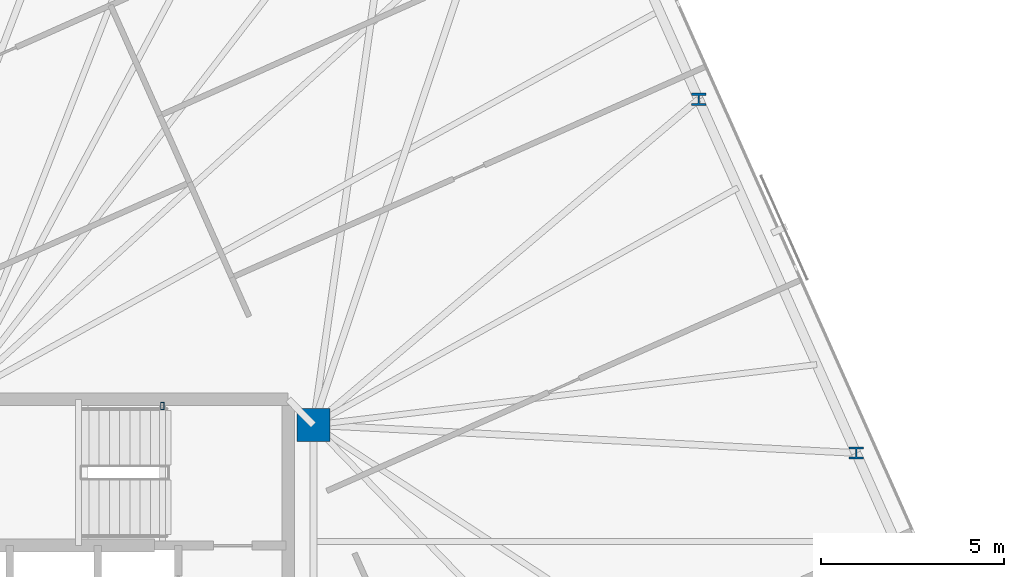
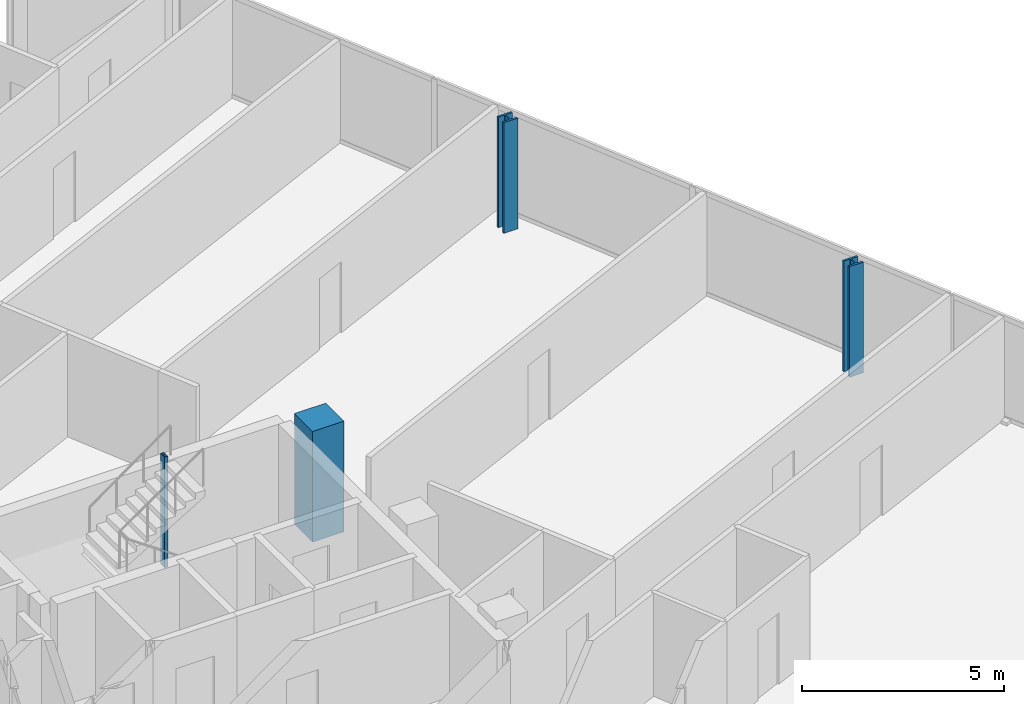
# One storey, part 3 of 19: 4 columns.
"""IFC4 building model written with IfcOpenShell, lengths in metres."""

from ifc_helpers import new_model, si_unit, direction, frame, origin, origin_2d, place, context, subcontext, project, spatial, rectangle, hollow_rectangle, i_section, extrude, material, material_profile, profile_set, type_object, element, save


model = new_model("IFC4")

# Units and contexts
model_context = context("Model", 3, precision=1e-05, world=origin(), true_north=direction((0.0, 1.0)))
body_context = subcontext(model_context, "Body", "Model", "MODEL_VIEW")
ifc_project = project(units=[si_unit("LENGTHUNIT", "METRE"), si_unit("AREAUNIT", "SQUARE_METRE"), si_unit("VOLUMEUNIT", "CUBIC_METRE"), si_unit("PLANEANGLEUNIT", "RADIAN"), si_unit("MASSUNIT", "GRAM", prefix="KILO")], contexts=[model_context])

# Site, building, storey
site_placement = place(None, origin())
site = spatial("IfcSite", under=ifc_project, at=site_placement, CompositionType="ELEMENT")
building_placement = place(site_placement, origin())
building = spatial("IfcBuilding", under=site, at=building_placement, Name="Menara Jurai Vektor", CompositionType="ELEMENT")
storey_placement = place(building_placement, frame((0.0, 0.0, 265.550048828125)))
storey = spatial("IfcBuildingStorey", under=building, at=storey_placement, Name="L71", CompositionType="ELEMENT", Elevation=265.550048828125)

# Columns
ifc_material_1 = material(Name="Concrete C50/60", Category="concrete")
ifc_material_profile_1 = material_profile(ifc_material_1, rectangle(XDim=0.89990234375, YDim=0.89990234375, at=origin_2d()), Name="RC 900x900")
ifc_profile_set_1 = profile_set([ifc_material_profile_1], Name="Concrete C50/60")
column_type_1 = type_object("IfcColumnType", Name="STR-COL-RC900", PredefinedType="COLUMN", material=ifc_profile_set_1)
column_1_placement = place(storey_placement, frame((15.25, 4.89990234375, 0.0), z_axis=(0.0, 0.0, 1.0), x_axis=(1.0, 0.0, 0.0)))
element("IfcColumn", 1, at=column_1_placement, inside=storey, type_object=column_type_1, Name="Core Spine Column CE-NE L71", PredefinedType="COLUMN", context=body_context, shape_type="SweptSolid", body=[
    extrude(rectangle(XDim=0.89990234375, YDim=0.89990234375, at=origin_2d()), origin(), (0.0, 0.0, 1.0), 3.349853515625),
])
ifc_material_2 = material(Name="Steel S355", Category="steel")
ifc_material_profile_2 = material_profile(ifc_material_2, hollow_rectangle(XDim=0.10009765625, YDim=0.199951171875, WallThickness=0.008056640625, at=origin_2d()), Name="RHS 200x100x8")
ifc_profile_set_2 = profile_set([ifc_material_profile_2], Name="Steel S355")
column_type_2 = type_object("IfcColumnType", Name="STR-COL-STAIR", PredefinedType="COLUMN", material=ifc_profile_set_2)
column_2_placement = place(storey_placement, frame((11.1201171875, 5.419921875, 0.0), z_axis=(0.0, 0.0, 1.0), x_axis=(1.0, 0.0, 0.0)))
element("IfcColumn", 2, at=column_2_placement, inside=storey, type_object=column_type_2, Name="Stair Well Header Column ST2-P2 L71", PredefinedType="COLUMN", context=body_context, shape_type="SweptSolid", body=[
    extrude(hollow_rectangle(XDim=0.10009765625, YDim=0.199951171875, WallThickness=0.008056640625, at=origin_2d()), origin(), (0.0, 0.0, 1.0), 3.349853515625),
])
ifc_material_3 = material(Name="Steel S460", Category="steel")
ifc_material_profile_3 = material_profile(ifc_material_3, i_section(OverallWidth=0.40087890625, OverallDepth=0.3349609375, WebThickness=0.035888671875, FlangeThickness=0.05810546875, FilletRadius=0.014892578125, at=origin_2d()), Name="HD 400x463")
ifc_profile_set_3 = profile_set([ifc_material_profile_3], Name="Steel S460")
column_type_3 = type_object("IfcColumnType", Name="STR-EXO-BLK5", PredefinedType="COLUMN", material=ifc_profile_set_3)
for number, where, z_axis, x_axis, name in (
    (3, (30.086181640625, 4.13330078125, 0.0), (0.0, 0.0, 1.0), (1.0, 0.0, 0.0), "Exoskeleton Column BLK5-E2 L71"),
    (4, (25.781005859375, 13.80322265625, 0.0), (0.0, 0.0, 1.0), (1.0, 0.0, 0.0), "Exoskeleton Column BLK5-E3 L71"),
):
    element("IfcColumn", number, at=place(storey_placement, frame(where, z_axis=z_axis, x_axis=x_axis)), inside=storey, type_object=column_type_3, Name=name, PredefinedType="COLUMN", context=body_context, shape_type="SweptSolid", body=[
        extrude(i_section(OverallWidth=0.40087890625, OverallDepth=0.3349609375, WebThickness=0.035888671875, FlangeThickness=0.05810546875, FilletRadius=0.014892578125, at=origin_2d()), origin(), (0.0, 0.0, 1.0), 3.349853515625),
    ])

save(model, "model.ifc")
